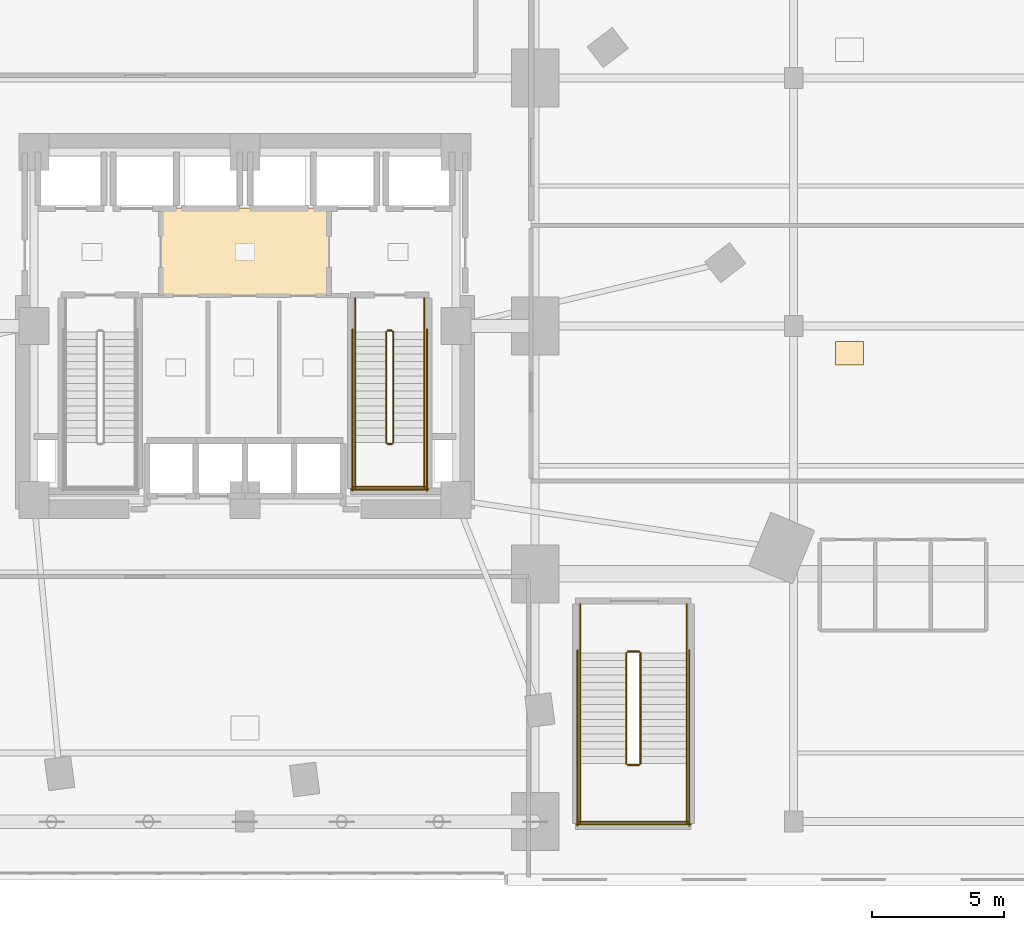
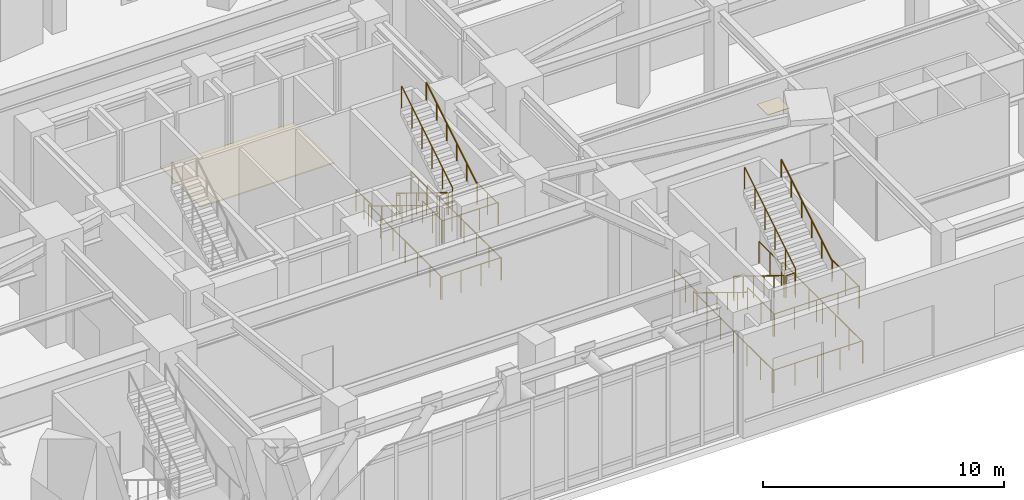
# One storey, part 18 of 19: 28 railings, 2 coverings.
"""IFC4 building model written with IfcOpenShell, lengths in metres."""

from ifc_helpers import new_model, si_unit, direction, frame, origin, origin_2d, place, context, subcontext, project, spatial, rectangle, circle, extrude, material, layer, layer_set, type_object, element, save


model = new_model("IFC4")

# Units and contexts
model_context = context("Model", 3, precision=1e-05, world=origin(), true_north=direction((0.0, 1.0)))
body_context = subcontext(model_context, "Body", "Model", "MODEL_VIEW")
ifc_project = project(units=[si_unit("LENGTHUNIT", "METRE"), si_unit("AREAUNIT", "SQUARE_METRE"), si_unit("VOLUMEUNIT", "CUBIC_METRE"), si_unit("PLANEANGLEUNIT", "RADIAN"), si_unit("MASSUNIT", "GRAM", prefix="KILO")], contexts=[model_context])

# Site, building, storey
site_placement = place(None, origin())
site = spatial("IfcSite", under=ifc_project, at=site_placement, CompositionType="ELEMENT")
building_placement = place(site_placement, origin())
building = spatial("IfcBuilding", under=site, at=building_placement, Name="Ndelora Gate Hotel", CompositionType="ELEMENT")
storey_placement = place(building_placement, frame((0.0, 0.0, 16.0)))
storey = spatial("IfcBuildingStorey", under=building, at=storey_placement, Name="L03", CompositionType="ELEMENT", Elevation=16.0)

# Coverings
ifc_material_1 = material(Name="Perforated Acoustic Gypsum Board", Category="gypsum")
ifc_layer_1 = layer(ifc_material_1, 0.054931640625)
ifc_layer_set_1 = layer_set([ifc_layer_1], Name="Perforated Acoustic Gypsum Board")
covering_type_1 = type_object("IfcCoveringType", Name="COV-CEIL-AC60", PredefinedType="CEILING", material=ifc_layer_set_1)
covering_1_placement = place(storey_placement, frame((0.0, 2.800048828125, 2.72265625), z_axis=(0.0, 0.0, 1.0), x_axis=(1.0, 0.0, 0.0)))
element("IfcCovering", 1, at=covering_1_placement, inside=storey, type_object=covering_type_1, Name="L03 Lift Lobby Acoustic Ceiling", PredefinedType="CEILING", context=body_context, shape_type="SweptSolid", body=[
    extrude(rectangle(XDim=6.39990234375, YDim=3.340087890625, at=origin_2d()), origin(), (0.0, 0.0, 1.0), 0.054931640625),
])
ifc_material_2 = material(Name="Engineered Highland Oak Parquet", Category="wood")
ifc_layer_2 = layer(ifc_material_2, 0.030029296875)
ifc_layer_set_2 = layer_set([ifc_layer_2], Name="Engineered Highland Oak Parquet")
covering_type_2 = type_object("IfcCoveringType", Name="COV-FLR-PARQ", PredefinedType="FLOORING", material=ifc_layer_set_2)
covering_2_placement = place(storey_placement, frame((22.925048828125, -1.0400390625, 0.0), z_axis=(0.0, 0.0, 1.0), x_axis=(1.0, 0.0, 0.0)))
element("IfcCovering", 2, at=covering_2_placement, inside=storey, type_object=covering_type_2, Name="L03 Bridal and VIP Suite Salon Oak Parquet Flooring", PredefinedType="FLOORING", context=body_context, shape_type="SweptSolid", body=[
    extrude(rectangle(XDim=1.050048828125, YDim=0.89990234375, at=origin_2d()), origin(), (0.0, 0.0, 1.0), 0.030029296875),
])

# Railings
ifc_material_3 = material(Name="Painted Galvanized Steel Balustrade", Category="steel")
ifc_layer_3 = layer(ifc_material_3, 0.06005859375)
ifc_layer_set_3 = layer_set([ifc_layer_3], Name="Painted Galvanized Steel Balustrade")
railing_type_1 = type_object("IfcRailingType", Name="RL-STAIR-GD", PredefinedType="GUARDRAIL", material=ifc_layer_set_3)
railing_1_placement = place(storey_placement, frame((5.360107421875, -0.22998046875, 0.171875)))
element("IfcRailing", 3, at=railing_1_placement, inside=storey, type_object=railing_type_1, Name="L03 ST5 stair guard 1", PredefinedType="GUARDRAIL", context=body_context, shape_type="SweptSolid", body=[
    extrude(circle(Radius=0.02392578125, at=origin_2d()), frame((0.0, 0.0, 1.10595703125), z_axis=(0.0, -0.852242915053, 0.523146264196), x_axis=(1.0, 0.0, 0.0)), (0.0, 0.0, 1.0), 4.92822265625),
    extrude(circle(Radius=0.02099609375, at=origin_2d()), origin(), (0.0, 0.0, 1.0), 1.081787109375),
    extrude(circle(Radius=0.02099609375, at=origin_2d()), frame((0.0, -0.840087890625, 0.515625)), (0.0, 0.0, 1.0), 1.081787109375),
    extrude(circle(Radius=0.02099609375, at=origin_2d()), frame((0.0, -1.679931640625, 1.03125)), (0.0, 0.0, 1.0), 1.081787109375),
    extrude(circle(Radius=0.02099609375, at=origin_2d()), frame((0.0, -2.52001953125, 1.546875)), (0.0, 0.0, 1.0), 1.081787109375),
    extrude(circle(Radius=0.02099609375, at=origin_2d()), frame((0.0, -3.35986328125, 2.0625)), (0.0, 0.0, 1.0), 1.081787109375),
    extrude(circle(Radius=0.02099609375, at=origin_2d()), frame((0.0, -4.199951171875, 2.578125)), (0.0, 0.0, 1.0), 1.081787109375),
])
railing_2_placement = place(storey_placement, frame((5.409912109375, -4.47998046875, 2.75)))
element("IfcRailing", 4, at=railing_2_placement, inside=storey, type_object=railing_type_1, Name="L03 ST5 stair guard 2", PredefinedType="GUARDRAIL", context=body_context, shape_type="SweptSolid", body=[
    extrude(circle(Radius=0.02392578125, at=origin_2d()), frame((0.0, 0.0, 1.10595703125), z_axis=(1.0, 0.0, 0.0), x_axis=(0.0, 1.0, 0.0)), (0.0, 0.0, 1.0), 0.16015625),
    extrude(circle(Radius=0.02099609375, at=origin_2d()), origin(), (0.0, 0.0, 1.0), 1.081787109375),
    extrude(circle(Radius=0.02099609375, at=origin_2d()), frame((0.16015625, 0.0, 0.0)), (0.0, 0.0, 1.0), 1.081787109375),
])
for number, where, name in (
    (5, (4.179931640625, -4.429931640625, 2.75), "L03 ST5 stair guard 3"),
    (6, (6.800048828125, -4.429931640625, 2.75), "L03 ST5 stair guard 4"),
):
    element("IfcRailing", number, at=place(storey_placement, frame(where)), inside=storey, type_object=railing_type_1, Name=name, PredefinedType="GUARDRAIL", context=body_context, shape_type="SweptSolid", body=[
        extrude(circle(Radius=0.02392578125, at=origin_2d()), frame((0.0, 0.0, 1.10595703125), z_axis=(0.0, -1.0, 0.0), x_axis=(1.0, 0.0, 0.0)), (0.0, 0.0, 1.0), 1.719970703125),
        extrude(circle(Radius=0.02099609375, at=origin_2d()), origin(), (0.0, 0.0, 1.0), 1.081787109375),
        extrude(circle(Radius=0.02099609375, at=origin_2d()), frame((0.0, -0.85986328125, 0.0)), (0.0, 0.0, 1.0), 1.081787109375),
        extrude(circle(Radius=0.02099609375, at=origin_2d()), frame((0.0, -1.719970703125, 0.0)), (0.0, 0.0, 1.0), 1.081787109375),
    ])
railing_3_placement = place(storey_placement, frame((4.1298828125, -6.10009765625, 2.75)))
element("IfcRailing", 7, at=railing_3_placement, inside=storey, type_object=railing_type_1, Name="L03 ST5 stair guard 5", PredefinedType="GUARDRAIL", context=body_context, shape_type="SweptSolid", body=[
    extrude(circle(Radius=0.02392578125, at=origin_2d()), frame((0.0, 0.0, 1.10595703125), z_axis=(1.0, 0.0, 0.0), x_axis=(0.0, 1.0, 0.0)), (0.0, 0.0, 1.0), 2.72021484375),
    extrude(circle(Radius=0.02099609375, at=origin_2d()), origin(), (0.0, 0.0, 1.0), 1.081787109375),
    extrude(circle(Radius=0.02099609375, at=origin_2d()), frame((0.90673828125, 0.0, 0.0)), (0.0, 0.0, 1.0), 1.081787109375),
    extrude(circle(Radius=0.02099609375, at=origin_2d()), frame((1.8134765625, 0.0, 0.0)), (0.0, 0.0, 1.0), 1.081787109375),
    extrude(circle(Radius=0.02099609375, at=origin_2d()), frame((2.72021484375, 0.0, 0.0)), (0.0, 0.0, 1.0), 1.081787109375),
])
railing_4_placement = place(storey_placement, frame((5.6201171875, -4.429931640625, 2.921875)))
element("IfcRailing", 8, at=railing_4_placement, inside=storey, type_object=railing_type_1, Name="L03 ST5 stair guard 6", PredefinedType="GUARDRAIL", context=body_context, shape_type="SweptSolid", body=[
    extrude(circle(Radius=0.02392578125, at=origin_2d()), frame((0.0, 0.0, 1.10595703125), z_axis=(0.0, 0.852242915053, 0.523146264196), x_axis=(-1.0, 0.0, 0.0)), (0.0, 0.0, 1.0), 4.92822265625),
    extrude(circle(Radius=0.02099609375, at=origin_2d()), origin(), (0.0, 0.0, 1.0), 1.081787109375),
    extrude(circle(Radius=0.02099609375, at=origin_2d()), frame((0.0, 0.840087890625, 0.515625)), (0.0, 0.0, 1.0), 1.081787109375),
    extrude(circle(Radius=0.02099609375, at=origin_2d()), frame((0.0, 1.679931640625, 1.03125)), (0.0, 0.0, 1.0), 1.081787109375),
    extrude(circle(Radius=0.02099609375, at=origin_2d()), frame((0.0, 2.52001953125, 1.546875)), (0.0, 0.0, 1.0), 1.081787109375),
    extrude(circle(Radius=0.02099609375, at=origin_2d()), frame((0.0, 3.35986328125, 2.0625)), (0.0, 0.0, 1.0), 1.081787109375),
    extrude(circle(Radius=0.02099609375, at=origin_2d()), frame((0.0, 4.199951171875, 2.578125)), (0.0, 0.0, 1.0), 1.081787109375),
])
railing_5_placement = place(storey_placement, frame((5.409912109375, -0.179931640625, 0.0)))
element("IfcRailing", 9, at=railing_5_placement, inside=storey, type_object=railing_type_1, Name="L03 ST5 stair guard 7", PredefinedType="GUARDRAIL", context=body_context, shape_type="SweptSolid", body=[
    extrude(circle(Radius=0.02392578125, at=origin_2d()), frame((0.0, 0.0, 1.10595703125), z_axis=(1.0, 0.0, 0.0), x_axis=(0.0, 1.0, 0.0)), (0.0, 0.0, 1.0), 0.16015625),
    extrude(circle(Radius=0.02099609375, at=origin_2d()), origin(), (0.0, 0.0, 1.0), 1.081787109375),
    extrude(circle(Radius=0.02099609375, at=origin_2d()), frame((0.16015625, 0.0, 0.0)), (0.0, 0.0, 1.0), 1.081787109375),
])
for number, where, name in (
    (10, (4.179931640625, 1.050048828125, 0.0), "L03 ST5 stair guard 8"),
    (11, (6.800048828125, 1.050048828125, 0.0), "L03 ST5 stair guard 9"),
):
    element("IfcRailing", number, at=place(storey_placement, frame(where)), inside=storey, type_object=railing_type_1, Name=name, PredefinedType="GUARDRAIL", context=body_context, shape_type="SweptSolid", body=[
        extrude(circle(Radius=0.02392578125, at=origin_2d()), frame((0.0, 0.0, 1.10595703125), z_axis=(0.0, -1.0, 0.0), x_axis=(1.0, 0.0, 0.0)), (0.0, 0.0, 1.0), 1.280029296875),
        extrude(circle(Radius=0.02099609375, at=origin_2d()), origin(), (0.0, 0.0, 1.0), 1.081787109375),
        extrude(circle(Radius=0.02099609375, at=origin_2d()), frame((0.0, -0.64013671875, 0.0)), (0.0, 0.0, 1.0), 1.081787109375),
        extrude(circle(Radius=0.02099609375, at=origin_2d()), frame((0.0, -1.280029296875, 0.0)), (0.0, 0.0, 1.0), 1.081787109375),
    ])
for number, where, name in (
    (12, (4.080078125, -0.1298828125, 0.0), "L03 ST5 stair guard 10"),
    (13, (6.89990234375, -0.1298828125, 0.0), "L03 ST5 stair guard 11"),
):
    element("IfcRailing", number, at=place(storey_placement, frame(where)), inside=storey, type_object=railing_type_1, Name=name, PredefinedType="GUARDRAIL", context=body_context, shape_type="SweptSolid", body=[
        extrude(circle(Radius=0.02392578125, at=origin_2d()), frame((0.0, 0.0, 1.10595703125), z_axis=(0.0, -1.0, 0.0), x_axis=(1.0, 0.0, 0.0)), (0.0, 0.0, 1.0), 6.1201171875),
        extrude(circle(Radius=0.02099609375, at=origin_2d()), origin(), (0.0, 0.0, 1.0), 1.081787109375),
        extrude(circle(Radius=0.02099609375, at=origin_2d()), frame((0.0, -1.02001953125, 0.0)), (0.0, 0.0, 1.0), 1.081787109375),
        extrude(circle(Radius=0.02099609375, at=origin_2d()), frame((0.0, -2.0400390625, 0.0)), (0.0, 0.0, 1.0), 1.081787109375),
        extrude(circle(Radius=0.02099609375, at=origin_2d()), frame((0.0, -3.06005859375, 0.0)), (0.0, 0.0, 1.0), 1.081787109375),
        extrude(circle(Radius=0.02099609375, at=origin_2d()), frame((0.0, -4.080078125, 0.0)), (0.0, 0.0, 1.0), 1.081787109375),
        extrude(circle(Radius=0.02099609375, at=origin_2d()), frame((0.0, -5.10009765625, 0.0)), (0.0, 0.0, 1.0), 1.081787109375),
        extrude(circle(Radius=0.02099609375, at=origin_2d()), frame((0.0, -6.1201171875, 0.0)), (0.0, 0.0, 1.0), 1.081787109375),
    ])
railing_6_placement = place(storey_placement, frame((4.030029296875, -6.199951171875, 0.0)))
element("IfcRailing", 14, at=railing_6_placement, inside=storey, type_object=railing_type_1, Name="L03 ST5 stair guard 12", PredefinedType="GUARDRAIL", context=body_context, shape_type="SweptSolid", body=[
    extrude(circle(Radius=0.02392578125, at=origin_2d()), frame((0.0, 0.0, 1.10595703125), z_axis=(1.0, 0.0, 0.0), x_axis=(0.0, 1.0, 0.0)), (0.0, 0.0, 1.0), 2.919921875),
    extrude(circle(Radius=0.02099609375, at=origin_2d()), origin(), (0.0, 0.0, 1.0), 1.081787109375),
    extrude(circle(Radius=0.02099609375, at=origin_2d()), frame((0.973388671875, 0.0, 0.0)), (0.0, 0.0, 1.0), 1.081787109375),
    extrude(circle(Radius=0.02099609375, at=origin_2d()), frame((1.946533203125, 0.0, 0.0)), (0.0, 0.0, 1.0), 1.081787109375),
    extrude(circle(Radius=0.02099609375, at=origin_2d()), frame((2.919921875, 0.0, 0.0)), (0.0, 0.0, 1.0), 1.081787109375),
])
railing_7_placement = place(storey_placement, frame((14.4599609375, -12.39990234375, 0.171875)))
element("IfcRailing", 15, at=railing_7_placement, inside=storey, type_object=railing_type_1, Name="L03 ST3B stair guard 1", PredefinedType="GUARDRAIL", context=body_context, shape_type="SweptSolid", body=[
    extrude(circle(Radius=0.02392578125, at=origin_2d()), frame((0.0, 0.0, 1.10595703125), z_axis=(0.0, -0.852256472501, 0.523124177495), x_axis=(1.0, 0.0, 0.0)), (0.0, 0.0, 1.0), 4.92822265625),
    extrude(circle(Radius=0.02099609375, at=origin_2d()), origin(), (0.0, 0.0, 1.0), 1.081787109375),
    extrude(circle(Radius=0.02099609375, at=origin_2d()), frame((0.0, -0.840087890625, 0.515625)), (0.0, 0.0, 1.0), 1.081787109375),
    extrude(circle(Radius=0.02099609375, at=origin_2d()), frame((0.0, -1.68017578125, 1.03125)), (0.0, 0.0, 1.0), 1.081787109375),
    extrude(circle(Radius=0.02099609375, at=origin_2d()), frame((0.0, -2.52001953125, 1.546875)), (0.0, 0.0, 1.0), 1.081787109375),
    extrude(circle(Radius=0.02099609375, at=origin_2d()), frame((0.0, -3.360107421875, 2.0625)), (0.0, 0.0, 1.0), 1.081787109375),
    extrude(circle(Radius=0.02099609375, at=origin_2d()), frame((0.0, -4.2001953125, 2.578125)), (0.0, 0.0, 1.0), 1.081787109375),
])
railing_8_placement = place(storey_placement, frame((14.510009765625, -16.64990234375, 2.75)))
element("IfcRailing", 16, at=railing_8_placement, inside=storey, type_object=railing_type_1, Name="L03 ST3B stair guard 2", PredefinedType="GUARDRAIL", context=body_context, shape_type="SweptSolid", body=[
    extrude(circle(Radius=0.02392578125, at=origin_2d()), frame((0.0, 0.0, 1.10595703125), z_axis=(1.0, 0.0, 0.0), x_axis=(0.0, 1.0, 0.0)), (0.0, 0.0, 1.0), 0.43994140625),
    extrude(circle(Radius=0.02099609375, at=origin_2d()), origin(), (0.0, 0.0, 1.0), 1.081787109375),
    extrude(circle(Radius=0.02099609375, at=origin_2d()), frame((0.43994140625, 0.0, 0.0)), (0.0, 0.0, 1.0), 1.081787109375),
])
for number, where, name in (
    (17, (12.7099609375, -16.60009765625, 2.75), "L03 ST3B stair guard 3"),
    (18, (16.75, -16.60009765625, 2.75), "L03 ST3B stair guard 4"),
):
    element("IfcRailing", number, at=place(storey_placement, frame(where)), inside=storey, type_object=railing_type_1, Name=name, PredefinedType="GUARDRAIL", context=body_context, shape_type="SweptSolid", body=[
        extrude(circle(Radius=0.02392578125, at=origin_2d()), frame((0.0, 0.0, 1.10595703125), z_axis=(0.0, -1.0, 0.0), x_axis=(1.0, 0.0, 0.0)), (0.0, 0.0, 1.0), 2.25),
        extrude(circle(Radius=0.02099609375, at=origin_2d()), origin(), (0.0, 0.0, 1.0), 1.081787109375),
        extrude(circle(Radius=0.02099609375, at=origin_2d()), frame((0.0, -1.125, 0.0)), (0.0, 0.0, 1.0), 1.081787109375),
        extrude(circle(Radius=0.02099609375, at=origin_2d()), frame((0.0, -2.25, 0.0)), (0.0, 0.0, 1.0), 1.081787109375),
    ])
railing_9_placement = place(storey_placement, frame((12.659912109375, -18.800048828125, 2.75)))
element("IfcRailing", 19, at=railing_9_placement, inside=storey, type_object=railing_type_1, Name="L03 ST3B stair guard 5", PredefinedType="GUARDRAIL", context=body_context, shape_type="SweptSolid", body=[
    extrude(circle(Radius=0.02392578125, at=origin_2d()), frame((0.0, 0.0, 1.10595703125), z_axis=(1.0, 0.0, 0.0), x_axis=(0.0, 1.0, 0.0)), (0.0, 0.0, 1.0), 4.14013671875),
    extrude(circle(Radius=0.02099609375, at=origin_2d()), origin(), (0.0, 0.0, 1.0), 1.081787109375),
    extrude(circle(Radius=0.02099609375, at=origin_2d()), frame((1.03515625, 0.0, 0.0)), (0.0, 0.0, 1.0), 1.081787109375),
    extrude(circle(Radius=0.02099609375, at=origin_2d()), frame((2.070068359375, 0.0, 0.0)), (0.0, 0.0, 1.0), 1.081787109375),
    extrude(circle(Radius=0.02099609375, at=origin_2d()), frame((3.10498046875, 0.0, 0.0)), (0.0, 0.0, 1.0), 1.081787109375),
    extrude(circle(Radius=0.02099609375, at=origin_2d()), frame((4.14013671875, 0.0, 0.0)), (0.0, 0.0, 1.0), 1.081787109375),
])
railing_10_placement = place(storey_placement, frame((15.0, -16.60009765625, 2.921875)))
element("IfcRailing", 20, at=railing_10_placement, inside=storey, type_object=railing_type_1, Name="L03 ST3B stair guard 6", PredefinedType="GUARDRAIL", context=body_context, shape_type="SweptSolid", body=[
    extrude(circle(Radius=0.02392578125, at=origin_2d()), frame((0.0, 0.0, 1.10595703125), z_axis=(0.0, 0.852256472501, 0.523124177495), x_axis=(-1.0, 0.0, 0.0)), (0.0, 0.0, 1.0), 4.92822265625),
    extrude(circle(Radius=0.02099609375, at=origin_2d()), origin(), (0.0, 0.0, 1.0), 1.081787109375),
    extrude(circle(Radius=0.02099609375, at=origin_2d()), frame((0.0, 0.840087890625, 0.515625)), (0.0, 0.0, 1.0), 1.081787109375),
    extrude(circle(Radius=0.02099609375, at=origin_2d()), frame((0.0, 1.68017578125, 1.03125)), (0.0, 0.0, 1.0), 1.081787109375),
    extrude(circle(Radius=0.02099609375, at=origin_2d()), frame((0.0, 2.52001953125, 1.546875)), (0.0, 0.0, 1.0), 1.081787109375),
    extrude(circle(Radius=0.02099609375, at=origin_2d()), frame((0.0, 3.360107421875, 2.0625)), (0.0, 0.0, 1.0), 1.081787109375),
    extrude(circle(Radius=0.02099609375, at=origin_2d()), frame((0.0, 4.2001953125, 2.578125)), (0.0, 0.0, 1.0), 1.081787109375),
])
railing_11_placement = place(storey_placement, frame((14.510009765625, -12.35009765625, 0.0)))
element("IfcRailing", 21, at=railing_11_placement, inside=storey, type_object=railing_type_1, Name="L03 ST3B stair guard 7", PredefinedType="GUARDRAIL", context=body_context, shape_type="SweptSolid", body=[
    extrude(circle(Radius=0.02392578125, at=origin_2d()), frame((0.0, 0.0, 1.10595703125), z_axis=(1.0, 0.0, 0.0), x_axis=(0.0, 1.0, 0.0)), (0.0, 0.0, 1.0), 0.43994140625),
    extrude(circle(Radius=0.02099609375, at=origin_2d()), origin(), (0.0, 0.0, 1.0), 1.081787109375),
    extrude(circle(Radius=0.02099609375, at=origin_2d()), frame((0.43994140625, 0.0, 0.0)), (0.0, 0.0, 1.0), 1.081787109375),
])
for number, where, name in (
    (22, (12.7099609375, -10.550048828125, 0.0), "L03 ST3B stair guard 8"),
    (23, (16.75, -10.550048828125, 0.0), "L03 ST3B stair guard 9"),
):
    element("IfcRailing", number, at=place(storey_placement, frame(where)), inside=storey, type_object=railing_type_1, Name=name, PredefinedType="GUARDRAIL", context=body_context, shape_type="SweptSolid", body=[
        extrude(circle(Radius=0.02392578125, at=origin_2d()), frame((0.0, 0.0, 1.10595703125), z_axis=(0.0, -1.0, 0.0), x_axis=(1.0, 0.0, 0.0)), (0.0, 0.0, 1.0), 1.849853515625),
        extrude(circle(Radius=0.02099609375, at=origin_2d()), origin(), (0.0, 0.0, 1.0), 1.081787109375),
        extrude(circle(Radius=0.02099609375, at=origin_2d()), frame((0.0, -0.9248046875, 0.0)), (0.0, 0.0, 1.0), 1.081787109375),
        extrude(circle(Radius=0.02099609375, at=origin_2d()), frame((0.0, -1.849853515625, 0.0)), (0.0, 0.0, 1.0), 1.081787109375),
    ])
for number, where, name in (
    (24, (12.610107421875, -12.300048828125, 0.0), "L03 ST3B stair guard 10"),
    (25, (16.85009765625, -12.300048828125, 0.0), "L03 ST3B stair guard 11"),
):
    element("IfcRailing", number, at=place(storey_placement, frame(where)), inside=storey, type_object=railing_type_1, Name=name, PredefinedType="GUARDRAIL", context=body_context, shape_type="SweptSolid", body=[
        extrude(circle(Radius=0.02392578125, at=origin_2d()), frame((0.0, 0.0, 1.10595703125), z_axis=(0.0, -1.0, 0.0), x_axis=(1.0, 0.0, 0.0)), (0.0, 0.0, 1.0), 6.64990234375),
        extrude(circle(Radius=0.02099609375, at=origin_2d()), origin(), (0.0, 0.0, 1.0), 1.081787109375),
        extrude(circle(Radius=0.02099609375, at=origin_2d()), frame((0.0, -1.1083984375, 0.0)), (0.0, 0.0, 1.0), 1.081787109375),
        extrude(circle(Radius=0.02099609375, at=origin_2d()), frame((0.0, -2.216552734375, 0.0)), (0.0, 0.0, 1.0), 1.081787109375),
        extrude(circle(Radius=0.02099609375, at=origin_2d()), frame((0.0, -3.324951171875, 0.0)), (0.0, 0.0, 1.0), 1.081787109375),
        extrude(circle(Radius=0.02099609375, at=origin_2d()), frame((0.0, -4.433349609375, 0.0)), (0.0, 0.0, 1.0), 1.081787109375),
        extrude(circle(Radius=0.02099609375, at=origin_2d()), frame((0.0, -5.54150390625, 0.0)), (0.0, 0.0, 1.0), 1.081787109375),
        extrude(circle(Radius=0.02099609375, at=origin_2d()), frame((0.0, -6.64990234375, 0.0)), (0.0, 0.0, 1.0), 1.081787109375),
    ])
railing_12_placement = place(storey_placement, frame((12.56005859375, -18.89990234375, 0.0)))
element("IfcRailing", 26, at=railing_12_placement, inside=storey, type_object=railing_type_1, Name="L03 ST3B stair guard 12", PredefinedType="GUARDRAIL", context=body_context, shape_type="SweptSolid", body=[
    extrude(circle(Radius=0.02392578125, at=origin_2d()), frame((0.0, 0.0, 1.10595703125), z_axis=(1.0, 0.0, 0.0), x_axis=(0.0, 1.0, 0.0)), (0.0, 0.0, 1.0), 4.33984375),
    extrude(circle(Radius=0.02099609375, at=origin_2d()), origin(), (0.0, 0.0, 1.0), 1.081787109375),
    extrude(circle(Radius=0.02099609375, at=origin_2d()), frame((1.0849609375, 0.0, 0.0)), (0.0, 0.0, 1.0), 1.081787109375),
    extrude(circle(Radius=0.02099609375, at=origin_2d()), frame((2.169921875, 0.0, 0.0)), (0.0, 0.0, 1.0), 1.081787109375),
    extrude(circle(Radius=0.02099609375, at=origin_2d()), frame((3.2548828125, 0.0, 0.0)), (0.0, 0.0, 1.0), 1.081787109375),
    extrude(circle(Radius=0.02099609375, at=origin_2d()), frame((4.33984375, 0.0, 0.0)), (0.0, 0.0, 1.0), 1.081787109375),
])
ifc_material_4 = material(Name="Brushed Stainless Steel 316", Category="steel")
ifc_layer_4 = layer(ifc_material_4, 0.050048828125)
ifc_layer_set_4 = layer_set([ifc_layer_4], Name="Brushed Stainless Steel 316")
railing_type_2 = type_object("IfcRailingType", Name="RL-STAIR-HR", PredefinedType="HANDRAIL", material=ifc_layer_set_4)
railing_13_placement = place(storey_placement, frame((4.179931640625, -0.22998046875, 0.171875)))
element("IfcRailing", 27, at=railing_13_placement, inside=storey, type_object=railing_type_2, Name="L03 ST5 stair handrail 1", PredefinedType="HANDRAIL", context=body_context, shape_type="SweptSolid", body=[
    extrude(circle(Radius=0.02392578125, at=origin_2d()), frame((0.0, 0.0, 0.8759765625), z_axis=(0.0, -0.852242915053, 0.523146264196), x_axis=(1.0, 0.0, 0.0)), (0.0, 0.0, 1.0), 4.92822265625),
    extrude(circle(Radius=0.02099609375, at=origin_2d()), origin(), (0.0, 0.0, 1.0), 0.851806640625),
    extrude(circle(Radius=0.02099609375, at=origin_2d()), frame((0.0, -0.840087890625, 0.515625)), (0.0, 0.0, 1.0), 0.851806640625),
    extrude(circle(Radius=0.02099609375, at=origin_2d()), frame((0.0, -1.679931640625, 1.03125)), (0.0, 0.0, 1.0), 0.851806640625),
    extrude(circle(Radius=0.02099609375, at=origin_2d()), frame((0.0, -2.52001953125, 1.546875)), (0.0, 0.0, 1.0), 0.851806640625),
    extrude(circle(Radius=0.02099609375, at=origin_2d()), frame((0.0, -3.35986328125, 2.0625)), (0.0, 0.0, 1.0), 0.851806640625),
    extrude(circle(Radius=0.02099609375, at=origin_2d()), frame((0.0, -4.199951171875, 2.578125)), (0.0, 0.0, 1.0), 0.851806640625),
])
railing_14_placement = place(storey_placement, frame((6.800048828125, -4.429931640625, 2.921875)))
element("IfcRailing", 28, at=railing_14_placement, inside=storey, type_object=railing_type_2, Name="L03 ST5 stair handrail 2", PredefinedType="HANDRAIL", context=body_context, shape_type="SweptSolid", body=[
    extrude(circle(Radius=0.02392578125, at=origin_2d()), frame((0.0, 0.0, 0.8759765625), z_axis=(0.0, 0.852242915053, 0.523146264196), x_axis=(-1.0, 0.0, 0.0)), (0.0, 0.0, 1.0), 4.92822265625),
    extrude(circle(Radius=0.02099609375, at=origin_2d()), origin(), (0.0, 0.0, 1.0), 0.851806640625),
    extrude(circle(Radius=0.02099609375, at=origin_2d()), frame((0.0, 0.840087890625, 0.515625)), (0.0, 0.0, 1.0), 0.851806640625),
    extrude(circle(Radius=0.02099609375, at=origin_2d()), frame((0.0, 1.679931640625, 1.03125)), (0.0, 0.0, 1.0), 0.851806640625),
    extrude(circle(Radius=0.02099609375, at=origin_2d()), frame((0.0, 2.52001953125, 1.546875)), (0.0, 0.0, 1.0), 0.851806640625),
    extrude(circle(Radius=0.02099609375, at=origin_2d()), frame((0.0, 3.35986328125, 2.0625)), (0.0, 0.0, 1.0), 0.851806640625),
    extrude(circle(Radius=0.02099609375, at=origin_2d()), frame((0.0, 4.199951171875, 2.578125)), (0.0, 0.0, 1.0), 0.851806640625),
])
railing_15_placement = place(storey_placement, frame((12.7099609375, -12.39990234375, 0.171875)))
element("IfcRailing", 29, at=railing_15_placement, inside=storey, type_object=railing_type_2, Name="L03 ST3B stair handrail 1", PredefinedType="HANDRAIL", context=body_context, shape_type="SweptSolid", body=[
    extrude(circle(Radius=0.02392578125, at=origin_2d()), frame((0.0, 0.0, 0.8759765625), z_axis=(0.0, -0.852256472501, 0.523124177495), x_axis=(1.0, 0.0, 0.0)), (0.0, 0.0, 1.0), 4.92822265625),
    extrude(circle(Radius=0.02099609375, at=origin_2d()), origin(), (0.0, 0.0, 1.0), 0.851806640625),
    extrude(circle(Radius=0.02099609375, at=origin_2d()), frame((0.0, -0.840087890625, 0.515625)), (0.0, 0.0, 1.0), 0.851806640625),
    extrude(circle(Radius=0.02099609375, at=origin_2d()), frame((0.0, -1.68017578125, 1.03125)), (0.0, 0.0, 1.0), 0.851806640625),
    extrude(circle(Radius=0.02099609375, at=origin_2d()), frame((0.0, -2.52001953125, 1.546875)), (0.0, 0.0, 1.0), 0.851806640625),
    extrude(circle(Radius=0.02099609375, at=origin_2d()), frame((0.0, -3.360107421875, 2.0625)), (0.0, 0.0, 1.0), 0.851806640625),
    extrude(circle(Radius=0.02099609375, at=origin_2d()), frame((0.0, -4.2001953125, 2.578125)), (0.0, 0.0, 1.0), 0.851806640625),
])
railing_16_placement = place(storey_placement, frame((16.75, -16.60009765625, 2.921875)))
element("IfcRailing", 30, at=railing_16_placement, inside=storey, type_object=railing_type_2, Name="L03 ST3B stair handrail 2", PredefinedType="HANDRAIL", context=body_context, shape_type="SweptSolid", body=[
    extrude(circle(Radius=0.02392578125, at=origin_2d()), frame((0.0, 0.0, 0.8759765625), z_axis=(0.0, 0.852256472501, 0.523124177495), x_axis=(-1.0, 0.0, 0.0)), (0.0, 0.0, 1.0), 4.92822265625),
    extrude(circle(Radius=0.02099609375, at=origin_2d()), origin(), (0.0, 0.0, 1.0), 0.851806640625),
    extrude(circle(Radius=0.02099609375, at=origin_2d()), frame((0.0, 0.840087890625, 0.515625)), (0.0, 0.0, 1.0), 0.851806640625),
    extrude(circle(Radius=0.02099609375, at=origin_2d()), frame((0.0, 1.68017578125, 1.03125)), (0.0, 0.0, 1.0), 0.851806640625),
    extrude(circle(Radius=0.02099609375, at=origin_2d()), frame((0.0, 2.52001953125, 1.546875)), (0.0, 0.0, 1.0), 0.851806640625),
    extrude(circle(Radius=0.02099609375, at=origin_2d()), frame((0.0, 3.360107421875, 2.0625)), (0.0, 0.0, 1.0), 0.851806640625),
    extrude(circle(Radius=0.02099609375, at=origin_2d()), frame((0.0, 4.2001953125, 2.578125)), (0.0, 0.0, 1.0), 0.851806640625),
])

save(model, "model.ifc")
